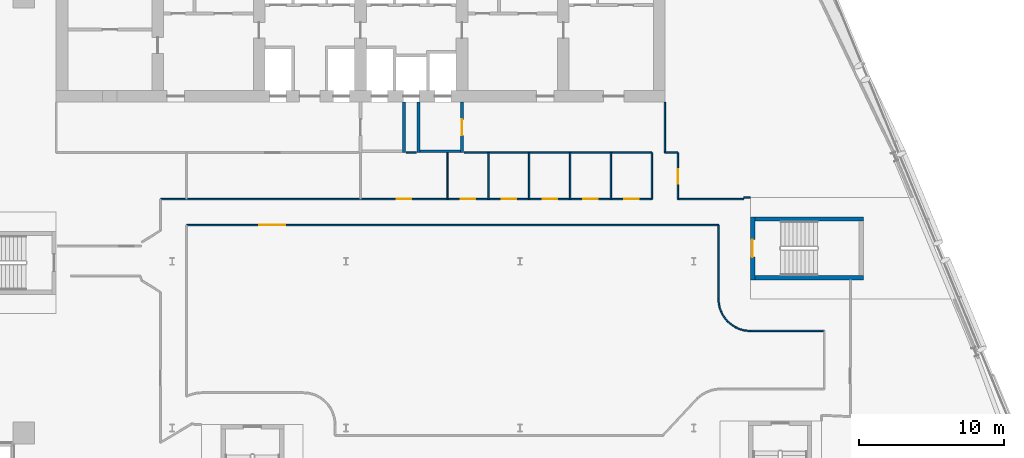
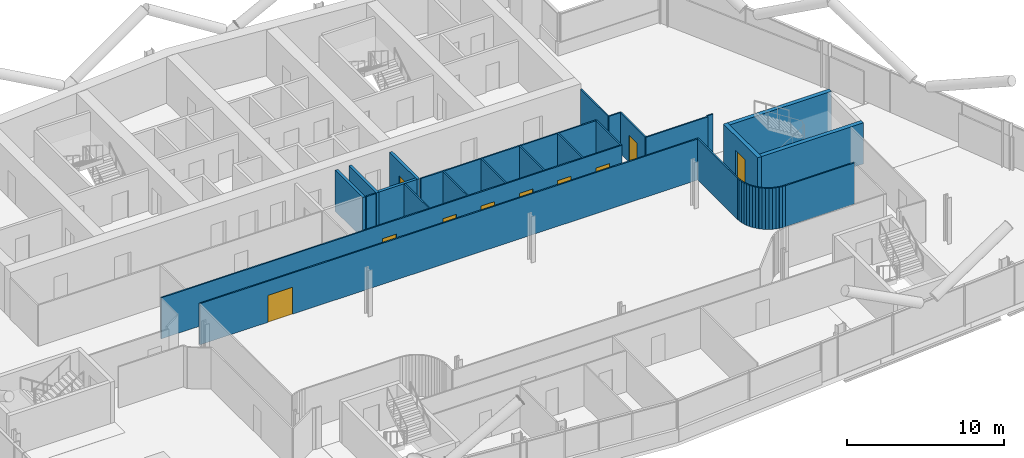
# One storey, part 17 of 27: 40 walls, 10 doors, 10 openings.
"""IFC4 building model written with IfcOpenShell, lengths in metres."""

from ifc_helpers import new_model, si_unit, direction, frame, frame_2d, origin, place, context, subcontext, project, spatial, rectangle, extrude, material, layer, layer_set, type_object, element, fill, save


model = new_model("IFC4")

# Units and contexts
model_context = context("Model", 3, precision=1e-05, world=origin(), true_north=direction((0.0, 1.0)))
body_context = subcontext(model_context, "Body", "Model", "MODEL_VIEW")
ifc_project = project(units=[si_unit("LENGTHUNIT", "METRE"), si_unit("AREAUNIT", "SQUARE_METRE"), si_unit("VOLUMEUNIT", "CUBIC_METRE"), si_unit("PLANEANGLEUNIT", "RADIAN"), si_unit("MASSUNIT", "GRAM", prefix="KILO")], contexts=[model_context])

# Site, building, storey
site_placement = place(None, origin())
site = spatial("IfcSite", under=ifc_project, at=site_placement, CompositionType="ELEMENT")
building_placement = place(site_placement, origin())
building = spatial("IfcBuilding", under=site, at=building_placement, Name="Wharfspan Tower", CompositionType="ELEMENT")
storey_placement = place(building_placement, frame((0.0, 0.0, 159.100098)))
storey = spatial("IfcBuildingStorey", under=building, at=storey_placement, Name="L38", CompositionType="ELEMENT", Elevation=159.100098)

# Wall, openings, doors
ifc_material_1 = material(Name="Gypsum board on steel studs", Category="steel")
ifc_layer_1 = layer(ifc_material_1, 0.100098)
ifc_layer_set_1 = layer_set([ifc_layer_1], Name="Gypsum board on steel studs")
wall_type_1 = type_object("IfcWallType", Name="Compartment wall 100 EI 60", PredefinedType="PARTITIONING", material=ifc_layer_set_1)
wall_1_placement = place(storey_placement, frame((23.199951, 27.300049, 0.0), z_axis=(0.0, 0.0, 1.0), x_axis=(1.0, 0.0, 0.0)))
wall_1 = element("IfcWall", 1, at=wall_1_placement, inside=storey, type_object=wall_type_1, Name="Partition L38.w014", PredefinedType="PARTITIONING", context=body_context, shape_type="SweptSolid", body=[
    extrude(rectangle(XDim=33.900146, YDim=0.100098, at=frame_2d((16.950195, 0.0))), origin(), (0.0, 0.0, 1.0), 3.199951),
])
opening_1_placement = place(wall_1_placement, frame((16.300049, 0.0, 0.0)))
opening_1 = element("IfcOpeningElement", 2, at=opening_1_placement, cuts=wall_1, Name="Opening C2-11", PredefinedType="OPENING", context=body_context, shape_type="SweptSolid", body=[
    extrude(rectangle(XDim=1.0, YDim=2.100098, at=frame_2d((0.5, 1.050049))), frame((0.0, 0.060059, 0.0), z_axis=(0.0, -1.0, 0.0), x_axis=(1.0, 0.0, 0.0)), (0.0, 0.0, 1.0), 0.120117),
])
opening_2_placement = place(wall_1_placement, frame((20.719971, 0.0, 0.0)))
opening_2 = element("IfcOpeningElement", 3, at=opening_2_placement, cuts=wall_1, Name="Opening C2-12", PredefinedType="OPENING", context=body_context, shape_type="SweptSolid", body=[
    extrude(rectangle(XDim=1.0, YDim=2.100098, at=frame_2d((0.5, 1.050049))), frame((0.0, 0.060059, 0.0), z_axis=(0.0, -1.0, 0.0), x_axis=(1.0, 0.0, 0.0)), (0.0, 0.0, 1.0), 0.120117),
])
opening_3_placement = place(wall_1_placement, frame((23.540039, 0.0, 0.0)))
opening_3 = element("IfcOpeningElement", 4, at=opening_3_placement, cuts=wall_1, Name="Opening C2-13", PredefinedType="OPENING", context=body_context, shape_type="SweptSolid", body=[
    extrude(rectangle(XDim=1.0, YDim=2.100098, at=frame_2d((0.5, 1.050049))), frame((0.0, 0.060059, 0.0), z_axis=(0.0, -1.0, 0.0), x_axis=(1.0, 0.0, 0.0)), (0.0, 0.0, 1.0), 0.120117),
])
opening_4_placement = place(wall_1_placement, frame((26.360107, 0.0, 0.0)))
opening_4 = element("IfcOpeningElement", 5, at=opening_4_placement, cuts=wall_1, Name="Opening C2-14", PredefinedType="OPENING", context=body_context, shape_type="SweptSolid", body=[
    extrude(rectangle(XDim=1.0, YDim=2.100098, at=frame_2d((0.5, 1.050049))), frame((0.0, 0.060059, 0.0), z_axis=(0.0, -1.0, 0.0), x_axis=(1.0, 0.0, 0.0)), (0.0, 0.0, 1.0), 0.120117),
])
opening_5_placement = place(wall_1_placement, frame((29.179932, 0.0, 0.0)))
opening_5 = element("IfcOpeningElement", 6, at=opening_5_placement, cuts=wall_1, Name="Opening C2-15", PredefinedType="OPENING", context=body_context, shape_type="SweptSolid", body=[
    extrude(rectangle(XDim=1.0, YDim=2.100098, at=frame_2d((0.5, 1.050049))), frame((0.0, 0.060059, 0.0), z_axis=(0.0, -1.0, 0.0), x_axis=(1.0, 0.0, 0.0)), (0.0, 0.0, 1.0), 0.120117),
])
opening_6_placement = place(wall_1_placement, frame((32.0, 0.0, 0.0)))
opening_6 = element("IfcOpeningElement", 7, at=opening_6_placement, cuts=wall_1, Name="Opening C2-16", PredefinedType="OPENING", context=body_context, shape_type="SweptSolid", body=[
    extrude(rectangle(XDim=1.0, YDim=2.100098, at=frame_2d((0.5, 1.050049))), frame((0.0, 0.060059, 0.0), z_axis=(0.0, -1.0, 0.0), x_axis=(1.0, 0.0, 0.0)), (0.0, 0.0, 1.0), 0.120117),
])
ifc_material_2 = material(Name="Fire-rated timber door leaf in steel frame", Category="steel")
door_type_1 = type_object("IfcDoorType", Name="Door 1000 FD30S Left", OperationType="SINGLE_SWING_LEFT", PredefinedType="DOOR", material=ifc_material_2)
door_1_placement = place(opening_1_placement, origin())
door_1 = element("IfcDoor", 8, at=door_1_placement, inside=storey, type_object=door_type_1, Name="Door C2-11", OperationType="SINGLE_SWING_LEFT", OverallHeight=2.100098, OverallWidth=1.0, PredefinedType="DOOR", context=body_context, shape_type="SweptSolid", body=[
    extrude(rectangle(XDim=1.0, YDim=2.100098, at=frame_2d((0.5, 1.050049))), frame((0.0, 0.024902, 0.0), z_axis=(0.0, -1.0, 0.0), x_axis=(1.0, 0.0, 0.0)), (0.0, 0.0, 1.0), 0.050049),
])
fill(opening_1, door_1)
door_type_2 = type_object("IfcDoorType", Name="Door 1000 FD30S Right", OperationType="SINGLE_SWING_RIGHT", PredefinedType="DOOR", material=ifc_material_2)
door_2_placement = place(opening_2_placement, origin())
door_2 = element("IfcDoor", 9, at=door_2_placement, inside=storey, type_object=door_type_2, Name="Door C2-12", OperationType="SINGLE_SWING_RIGHT", OverallHeight=2.100098, OverallWidth=1.0, PredefinedType="DOOR", context=body_context, shape_type="SweptSolid", body=[
    extrude(rectangle(XDim=1.0, YDim=2.100098, at=frame_2d((0.5, 1.050049))), frame((0.0, 0.024902, 0.0), z_axis=(0.0, -1.0, 0.0), x_axis=(1.0, 0.0, 0.0)), (0.0, 0.0, 1.0), 0.050049),
])
fill(opening_2, door_2)
door_3_placement = place(opening_3_placement, origin())
door_3 = element("IfcDoor", 10, at=door_3_placement, inside=storey, type_object=door_type_2, Name="Door C2-13", OperationType="SINGLE_SWING_RIGHT", OverallHeight=2.100098, OverallWidth=1.0, PredefinedType="DOOR", context=body_context, shape_type="SweptSolid", body=[
    extrude(rectangle(XDim=1.0, YDim=2.100098, at=frame_2d((0.5, 1.050049))), frame((0.0, 0.024902, 0.0), z_axis=(0.0, -1.0, 0.0), x_axis=(1.0, 0.0, 0.0)), (0.0, 0.0, 1.0), 0.050049),
])
fill(opening_3, door_3)
door_4_placement = place(opening_4_placement, origin())
door_4 = element("IfcDoor", 11, at=door_4_placement, inside=storey, type_object=door_type_2, Name="Door C2-14", OperationType="SINGLE_SWING_RIGHT", OverallHeight=2.100098, OverallWidth=1.0, PredefinedType="DOOR", context=body_context, shape_type="SweptSolid", body=[
    extrude(rectangle(XDim=1.0, YDim=2.100098, at=frame_2d((0.5, 1.050049))), frame((0.0, 0.024902, 0.0), z_axis=(0.0, -1.0, 0.0), x_axis=(1.0, 0.0, 0.0)), (0.0, 0.0, 1.0), 0.050049),
])
fill(opening_4, door_4)
door_5_placement = place(opening_5_placement, origin())
door_5 = element("IfcDoor", 12, at=door_5_placement, inside=storey, type_object=door_type_2, Name="Door C2-15", OperationType="SINGLE_SWING_RIGHT", OverallHeight=2.100098, OverallWidth=1.0, PredefinedType="DOOR", context=body_context, shape_type="SweptSolid", body=[
    extrude(rectangle(XDim=1.0, YDim=2.100098, at=frame_2d((0.5, 1.050049))), frame((0.0, 0.024902, 0.0), z_axis=(0.0, -1.0, 0.0), x_axis=(1.0, 0.0, 0.0)), (0.0, 0.0, 1.0), 0.050049),
])
fill(opening_5, door_5)
door_6_placement = place(opening_6_placement, origin())
door_6 = element("IfcDoor", 13, at=door_6_placement, inside=storey, type_object=door_type_2, Name="Door C2-16", OperationType="SINGLE_SWING_RIGHT", OverallHeight=2.100098, OverallWidth=1.0, PredefinedType="DOOR", context=body_context, shape_type="SweptSolid", body=[
    extrude(rectangle(XDim=1.0, YDim=2.100098, at=frame_2d((0.5, 1.050049))), frame((0.0, 0.024902, 0.0), z_axis=(0.0, -1.0, 0.0), x_axis=(1.0, 0.0, 0.0)), (0.0, 0.0, 1.0), 0.050049),
])
fill(opening_6, door_6)

# Wall, opening, door
wall_2_placement = place(storey_placement, frame((25.0, 25.5, 0.0), z_axis=(0.0, 0.0, 1.0), x_axis=(1.0, 0.0, 0.0)))
wall_2 = element("IfcWall", 14, at=wall_2_placement, inside=storey, type_object=wall_type_1, Name="Partition L38.w019", PredefinedType="PARTITIONING", context=body_context, shape_type="SweptSolid", body=[
    extrude(rectangle(XDim=36.705078, YDim=0.100098, at=frame_2d((18.352539, 0.0))), origin(), (0.0, 0.0, 1.0), 3.199951),
])
opening_7_placement = place(wall_2_placement, frame((5.02002, 0.0, 0.0)))
opening_7 = element("IfcOpeningElement", 15, at=opening_7_placement, cuts=wall_2, Name="Opening C2-10", PredefinedType="OPENING", context=body_context, shape_type="SweptSolid", body=[
    extrude(rectangle(XDim=1.800049, YDim=2.100098, at=frame_2d((0.899902, 1.050049))), frame((0.0, 0.060059, 0.0), z_axis=(0.0, -1.0, 0.0), x_axis=(1.0, 0.0, 0.0)), (0.0, 0.0, 1.0), 0.120117),
])
door_type_3 = type_object("IfcDoorType", Name="Door 1800 FD30S Double", OperationType="DOUBLE_DOOR_SINGLE_SWING", PredefinedType="DOOR", material=ifc_material_2)
door_7_placement = place(opening_7_placement, origin())
door_7 = element("IfcDoor", 16, at=door_7_placement, inside=storey, type_object=door_type_3, Name="Door C2-10", OperationType="DOUBLE_DOOR_SINGLE_SWING", OverallHeight=2.100098, OverallWidth=1.800049, PredefinedType="DOOR", context=body_context, shape_type="SweptSolid", body=[
    extrude(rectangle(XDim=1.800049, YDim=2.100098, at=frame_2d((0.899902, 1.050049))), frame((0.0, 0.024902, 0.0), z_axis=(0.0, -1.0, 0.0), x_axis=(1.0, 0.0, 0.0)), (0.0, 0.0, 1.0), 0.050049),
])
fill(opening_7, door_7)

# Walls
for number, where, z_axis, x_axis, name in (
    (17, (43.0, 27.300049, 0.0), (0.0, 0.0, 1.0), (0.0, 1.0, 0.0), "Partition L38.w053"),
    (18, (45.820068, 27.300049, 0.0), (0.0, 0.0, 1.0), (0.0, 1.0, 0.0), "Partition L38.w054"),
    (19, (48.639893, 27.300049, 0.0), (0.0, 0.0, 1.0), (0.0, 1.0, 0.0), "Partition L38.w056"),
    (20, (51.459961, 27.300049, 0.0), (0.0, 0.0, 1.0), (0.0, 1.0, 0.0), "Partition L38.w057"),
    (21, (54.280029, 27.300049, 0.0), (0.0, 0.0, 1.0), (0.0, 1.0, 0.0), "Partition L38.w061"),
    (22, (57.100098, 27.300049, 0.0), (0.0, 0.0, 1.0), (0.0, 1.0, 0.0), "Partition L38.w062"),
):
    element("IfcWall", number, at=place(storey_placement, frame(where, z_axis=z_axis, x_axis=x_axis)), inside=storey, type_object=wall_type_1, Name=name, PredefinedType="PARTITIONING", context=body_context, shape_type="SweptSolid", body=[
        extrude(rectangle(XDim=3.199951, YDim=0.100098, at=frame_2d((1.600098, 0.0))), origin(), (0.0, 0.0, 1.0), 3.199951),
    ])
wall_3_placement = place(storey_placement, frame((58.0, 30.5, 0.0), z_axis=(0.0, 0.0, 1.0), x_axis=(0.0, 1.0, 0.0)))
element("IfcWall", 23, at=wall_3_placement, inside=storey, type_object=wall_type_1, Name="Partition L38.w064", PredefinedType="PARTITIONING", context=body_context, shape_type="SweptSolid", body=[
    extrude(rectangle(XDim=3.47998, YDim=0.100098, at=frame_2d((1.73999, 0.0))), origin(), (0.0, 0.0, 1.0), 3.199951),
])
wall_4_placement = place(storey_placement, frame((58.0, 30.5, 0.0), z_axis=(0.0, 0.0, 1.0), x_axis=(1.0, 0.0, 0.0)))
element("IfcWall", 24, at=wall_4_placement, inside=storey, type_object=wall_type_1, Name="Partition L38.w065", PredefinedType="PARTITIONING", context=body_context, shape_type="SweptSolid", body=[
    extrude(rectangle(XDim=0.899902, YDim=0.100098, at=frame_2d((0.449951, 0.0))), origin(), (0.0, 0.0, 1.0), 3.199951),
])

# Wall, opening, door
wall_5_placement = place(storey_placement, frame((58.899902, 27.300049, 0.0), z_axis=(0.0, 0.0, 1.0), x_axis=(0.0, 1.0, 0.0)))
wall_5 = element("IfcWall", 25, at=wall_5_placement, inside=storey, type_object=wall_type_1, Name="Partition L38.w067", PredefinedType="PARTITIONING", context=body_context, shape_type="SweptSolid", body=[
    extrude(rectangle(XDim=3.199951, YDim=0.100098, at=frame_2d((1.600098, 0.0))), origin(), (0.0, 0.0, 1.0), 3.199951),
])
opening_8_placement = place(wall_5_placement, frame((1.044922, 0.0, 0.0)))
opening_8 = element("IfcOpeningElement", 26, at=opening_8_placement, cuts=wall_5, Name="Opening C2-17", PredefinedType="OPENING", context=body_context, shape_type="SweptSolid", body=[
    extrude(rectangle(XDim=1.0, YDim=2.100098, at=frame_2d((0.5, 1.050049))), frame((0.0, 0.060059, 0.0), z_axis=(0.0, -1.0, 0.0), x_axis=(1.0, 0.0, 0.0)), (0.0, 0.0, 1.0), 0.120117),
])
door_8_placement = place(opening_8_placement, origin())
door_8 = element("IfcDoor", 27, at=door_8_placement, inside=storey, type_object=door_type_1, Name="Door C2-17", OperationType="SINGLE_SWING_LEFT", OverallHeight=2.100098, OverallWidth=1.0, PredefinedType="DOOR", context=body_context, shape_type="SweptSolid", body=[
    extrude(rectangle(XDim=1.0, YDim=2.100098, at=frame_2d((0.5, 1.050049))), frame((0.0, 0.024902, 0.0), z_axis=(0.0, -1.0, 0.0), x_axis=(1.0, 0.0, 0.0)), (0.0, 0.0, 1.0), 0.050049),
])
fill(opening_8, door_8)

# Walls
wall_6_placement = place(storey_placement, frame((58.899902, 27.300049, 0.0), z_axis=(0.0, 0.0, 1.0), x_axis=(1.0, 0.0, 0.0)))
element("IfcWall", 28, at=wall_6_placement, inside=storey, type_object=wall_type_1, Name="Partition L38.w068", PredefinedType="PARTITIONING", context=body_context, shape_type="SweptSolid", body=[
    extrude(rectangle(XDim=4.555176, YDim=0.100098, at=frame_2d((2.277588, 0.0))), origin(), (0.0, 0.0, 1.0), 3.199951),
])
wall_7_placement = place(storey_placement, frame((61.705078, 20.399902, 0.0), z_axis=(0.0, 0.0, 1.0), x_axis=(0.0, 1.0, 0.0)))
element("IfcWall", 29, at=wall_7_placement, inside=storey, type_object=wall_type_1, Name="Partition L38.w077", PredefinedType="PARTITIONING", context=body_context, shape_type="SweptSolid", body=[
    extrude(rectangle(XDim=5.100098, YDim=0.100098, at=frame_2d((2.550049, 0.0))), origin(), (0.0, 0.0, 1.0), 3.199951),
])
wall_8_placement = place(storey_placement, frame((61.715088, 20.185059, 0.0), z_axis=(0.0, 0.0, 1.0), x_axis=(-0.04654, 0.998912, 0.0)))
element("IfcWall", 30, at=wall_8_placement, inside=storey, type_object=wall_type_1, Name="Partition L38.w078", PredefinedType="PARTITIONING", context=body_context, shape_type="SweptSolid", body=[
    extrude(rectangle(XDim=0.215088, YDim=0.100098, at=frame_2d((0.107422, 0.0))), origin(), (0.0, 0.0, 1.0), 3.199951),
])
wall_9_placement = place(storey_placement, frame((61.745117, 19.969971, 0.0), z_axis=(0.0, 0.0, 1.0), x_axis=(-0.138273, 0.990394, 0.0)))
element("IfcWall", 31, at=wall_9_placement, inside=storey, type_object=wall_type_1, Name="Partition L38.w079", PredefinedType="PARTITIONING", context=body_context, shape_type="SweptSolid", body=[
    extrude(rectangle(XDim=0.217285, YDim=0.100098, at=frame_2d((0.108643, 0.0))), origin(), (0.0, 0.0, 1.0), 3.199951),
])
wall_10_placement = place(storey_placement, frame((61.800049, 19.76001, 0.0), z_axis=(0.0, 0.0, 1.0), x_axis=(-0.253108, 0.967435, 0.0)))
element("IfcWall", 32, at=wall_10_placement, inside=storey, type_object=wall_type_1, Name="Partition L38.w080", PredefinedType="PARTITIONING", context=body_context, shape_type="SweptSolid", body=[
    extrude(rectangle(XDim=0.217041, YDim=0.100098, at=frame_2d((0.108398, 0.0))), origin(), (0.0, 0.0, 1.0), 3.199951),
])
wall_11_placement = place(storey_placement, frame((61.870117, 19.560059, 0.0), z_axis=(0.0, 0.0, 1.0), x_axis=(-0.330711, 0.943736, 0.0)))
element("IfcWall", 33, at=wall_11_placement, inside=storey, type_object=wall_type_1, Name="Partition L38.w082", PredefinedType="PARTITIONING", context=body_context, shape_type="SweptSolid", body=[
    extrude(rectangle(XDim=0.211914, YDim=0.100098, at=frame_2d((0.105957, 0.0))), origin(), (0.0, 0.0, 1.0), 3.199951),
])
wall_12_placement = place(storey_placement, frame((61.965088, 19.360107, 0.0), z_axis=(0.0, 0.0, 1.0), x_axis=(-0.429036, 0.903292, 0.0)))
element("IfcWall", 34, at=wall_12_placement, inside=storey, type_object=wall_type_1, Name="Partition L38.w083", PredefinedType="PARTITIONING", context=body_context, shape_type="SweptSolid", body=[
    extrude(rectangle(XDim=0.221436, YDim=0.100098, at=frame_2d((0.11084, 0.0))), origin(), (0.0, 0.0, 1.0), 3.199951),
])
wall_13_placement = place(storey_placement, frame((62.074951, 19.175049, 0.0), z_axis=(0.0, 0.0, 1.0), x_axis=(-0.510487, 0.859887, 0.0)))
element("IfcWall", 35, at=wall_13_placement, inside=storey, type_object=wall_type_1, Name="Partition L38.w084", PredefinedType="PARTITIONING", context=body_context, shape_type="SweptSolid", body=[
    extrude(rectangle(XDim=0.215332, YDim=0.100098, at=frame_2d((0.107666, 0.0))), origin(), (0.0, 0.0, 1.0), 3.199951),
])
wall_14_placement = place(storey_placement, frame((62.205078, 19.004883, 0.0), z_axis=(0.0, 0.0, 1.0), x_axis=(-0.607451, 0.794359, 0.0)))
element("IfcWall", 36, at=wall_14_placement, inside=storey, type_object=wall_type_1, Name="Partition L38.w085", PredefinedType="PARTITIONING", context=body_context, shape_type="SweptSolid", body=[
    extrude(rectangle(XDim=0.214111, YDim=0.100098, at=frame_2d((0.106934, 0.0))), origin(), (0.0, 0.0, 1.0), 3.199951),
])
for number, where, z_axis, x_axis, name in (
    (37, (62.350098, 18.844971, 0.0), (0.0, 0.0, 1.0), (-0.671775, 0.740762, 0.0), "Partition L38.w086"),
    (38, (62.51001, 18.699951, 0.0), (0.0, 0.0, 1.0), (-0.740762, 0.671775, 0.0), "Partition L38.w087"),
):
    element("IfcWall", number, at=place(storey_placement, frame(where, z_axis=z_axis, x_axis=x_axis)), inside=storey, type_object=wall_type_1, Name=name, PredefinedType="PARTITIONING", context=body_context, shape_type="SweptSolid", body=[
        extrude(rectangle(XDim=0.21582, YDim=0.100098, at=frame_2d((0.10791, 0.0))), origin(), (0.0, 0.0, 1.0), 3.199951),
    ])
wall_15_placement = place(storey_placement, frame((62.679932, 18.570068, 0.0), z_axis=(0.0, 0.0, 1.0), x_axis=(-0.794484, 0.607278, 0.0)))
element("IfcWall", 39, at=wall_15_placement, inside=storey, type_object=wall_type_1, Name="Partition L38.w088", PredefinedType="PARTITIONING", context=body_context, shape_type="SweptSolid", body=[
    extrude(rectangle(XDim=0.213867, YDim=0.100098, at=frame_2d((0.106934, 0.0))), origin(), (0.0, 0.0, 1.0), 3.199951),
])
wall_16_placement = place(storey_placement, frame((62.86499, 18.459961, 0.0), z_axis=(0.0, 0.0, 1.0), x_axis=(-0.859387, 0.511324, 0.0)))
element("IfcWall", 40, at=wall_16_placement, inside=storey, type_object=wall_type_1, Name="Partition L38.w089", PredefinedType="PARTITIONING", context=body_context, shape_type="SweptSolid", body=[
    extrude(rectangle(XDim=0.215332, YDim=0.100098, at=frame_2d((0.107666, 0.0))), origin(), (0.0, 0.0, 1.0), 3.199951),
])
wall_17_placement = place(storey_placement, frame((63.060059, 18.36499, 0.0), z_axis=(0.0, 0.0, 1.0), x_axis=(-0.899103, 0.437736, 0.0)))
element("IfcWall", 41, at=wall_17_placement, inside=storey, type_object=wall_type_1, Name="Partition L38.w090", PredefinedType="PARTITIONING", context=body_context, shape_type="SweptSolid", body=[
    extrude(rectangle(XDim=0.217041, YDim=0.100098, at=frame_2d((0.108398, 0.0))), origin(), (0.0, 0.0, 1.0), 3.199951),
])
wall_18_placement = place(storey_placement, frame((63.264893, 18.294922, 0.0), z_axis=(0.0, 0.0, 1.0), x_axis=(-0.94617, 0.32366, 0.0)))
element("IfcWall", 42, at=wall_18_placement, inside=storey, type_object=wall_type_1, Name="Partition L38.w091", PredefinedType="PARTITIONING", context=body_context, shape_type="SweptSolid", body=[
    extrude(rectangle(XDim=0.216553, YDim=0.100098, at=frame_2d((0.108398, 0.0))), origin(), (0.0, 0.0, 1.0), 3.199951),
])
wall_19_placement = place(storey_placement, frame((63.455078, 27.399902, 0.0), z_axis=(0.0, 0.0, 1.0), x_axis=(1.0, 0.0, 0.0)))
element("IfcWall", 43, at=wall_19_placement, inside=storey, type_object=wall_type_1, Name="Partition L38.w092", PredefinedType="PARTITIONING", context=body_context, shape_type="SweptSolid", body=[
    extrude(rectangle(XDim=0.429443, YDim=0.100098, at=frame_2d((0.214844, 0.0))), origin(), (0.0, 0.0, 1.0), 3.199951),
])
wall_20_placement = place(storey_placement, frame((63.475098, 18.23999, 0.0), z_axis=(0.0, 0.0, 1.0), x_axis=(-0.967508, 0.252833, 0.0)))
element("IfcWall", 44, at=wall_20_placement, inside=storey, type_object=wall_type_1, Name="Partition L38.w093", PredefinedType="PARTITIONING", context=body_context, shape_type="SweptSolid", body=[
    extrude(rectangle(XDim=0.217285, YDim=0.100098, at=frame_2d((0.108643, 0.0))), origin(), (0.0, 0.0, 1.0), 3.199951),
])
wall_21_placement = place(storey_placement, frame((63.689941, 18.209961, 0.0), z_axis=(0.0, 0.0, 1.0), x_axis=(-0.990372, 0.138427, 0.0)))
element("IfcWall", 45, at=wall_21_placement, inside=storey, type_object=wall_type_1, Name="Partition L38.w094", PredefinedType="PARTITIONING", context=body_context, shape_type="SweptSolid", body=[
    extrude(rectangle(XDim=0.217041, YDim=0.100098, at=frame_2d((0.108398, 0.0))), origin(), (0.0, 0.0, 1.0), 3.199951),
])
wall_22_placement = place(storey_placement, frame((63.905029, 18.199951, 0.0), z_axis=(0.0, 0.0, 1.0), x_axis=(1.0, 0.0, 0.0)))
element("IfcWall", 46, at=wall_22_placement, inside=storey, type_object=wall_type_1, Name="Partition L38.w095", PredefinedType="PARTITIONING", context=body_context, shape_type="SweptSolid", body=[
    extrude(rectangle(XDim=5.094971, YDim=0.100098, at=frame_2d((2.547363, 0.0))), origin(), (0.0, 0.0, 1.0), 3.199951),
])
wall_23_placement = place(storey_placement, frame((63.905029, 18.199951, 0.0), z_axis=(0.0, 0.0, 1.0), x_axis=(-0.998923, 0.046488, 0.0)))
element("IfcWall", 47, at=wall_23_placement, inside=storey, type_object=wall_type_1, Name="Partition L38.w096", PredefinedType="PARTITIONING", context=body_context, shape_type="SweptSolid", body=[
    extrude(rectangle(XDim=0.215332, YDim=0.100098, at=frame_2d((0.107666, 0.0))), origin(), (0.0, 0.0, 1.0), 3.199951),
])
wall_24_placement = place(storey_placement, frame((40.149902, 30.5, 0.0), z_axis=(0.0, 0.0, 1.0), x_axis=(1.0, 0.0, 0.0)))
element("IfcWall", 48, at=wall_24_placement, inside=storey, type_object=wall_type_1, Name="Partition L38.w005 (2)", PredefinedType="PARTITIONING", context=body_context, shape_type="SweptSolid", body=[
    extrude(rectangle(XDim=0.700195, YDim=0.100098, at=frame_2d((0.350098, 0.0))), origin(), (0.0, 0.0, 1.0), 3.199951),
])
wall_25_placement = place(storey_placement, frame((44.149902, 30.5, 0.0), z_axis=(0.0, 0.0, 1.0), x_axis=(1.0, 0.0, 0.0)))
element("IfcWall", 49, at=wall_25_placement, inside=storey, type_object=wall_type_1, Name="Partition L38.w005 (3)", PredefinedType="PARTITIONING", context=body_context, shape_type="SweptSolid", body=[
    extrude(rectangle(XDim=12.950195, YDim=0.100098, at=frame_2d((6.475098, 0.0))), origin(), (0.0, 0.0, 1.0), 3.199951),
])
ifc_material_3 = material(Name="Concrete C30/37", Category="concrete")
ifc_layer_2 = layer(ifc_material_3, 0.199951)
ifc_layer_set_2 = layer_set([ifc_layer_2], Name="Concrete C30/37")
wall_type_2 = type_object("IfcWallType", Name="Lobby wall 200", PredefinedType="PARTITIONING", material=ifc_layer_set_2)
for number, where, z_axis, x_axis, name in (
    (50, (40.0, 30.5, 0.0), (0.0, 0.0, 1.0), (0.0, 1.0, 0.0), "sw:L38:FLFF1E"),
    (51, (41.0, 30.5, 0.0), (0.0, 0.0, 1.0), (0.0, 1.0, 0.0), "sw:L38:FLFF2W"),
):
    element("IfcWall", number, at=place(storey_placement, frame(where, z_axis=z_axis, x_axis=x_axis)), inside=storey, type_object=wall_type_2, Name=name, PredefinedType="PARTITIONING", context=body_context, shape_type="SweptSolid", body=[
        extrude(rectangle(XDim=3.5, YDim=0.199951, at=frame_2d((1.75, 0.0))), origin(), (0.0, 0.0, 1.0), 3.199951),
    ])

# Wall, opening, door
wall_26_placement = place(storey_placement, frame((44.0, 30.5, 0.0), z_axis=(0.0, 0.0, 1.0), x_axis=(0.0, 1.0, 0.0)))
wall_26 = element("IfcWall", 52, at=wall_26_placement, inside=storey, type_object=wall_type_2, Name="sw:L38:FLFF2E", PredefinedType="PARTITIONING", context=body_context, shape_type="SweptSolid", body=[
    extrude(rectangle(XDim=3.5, YDim=0.199951, at=frame_2d((1.75, 0.0))), origin(), (0.0, 0.0, 1.0), 3.199951),
])
opening_9_placement = place(wall_26_placement, frame((1.199951, 0.0, 0.0)))
opening_9 = element("IfcOpeningElement", 53, at=opening_9_placement, cuts=wall_26, Name="Opening FL.FF2.L38", PredefinedType="OPENING", context=body_context, shape_type="SweptSolid", body=[
    extrude(rectangle(XDim=1.100098, YDim=2.100098, at=frame_2d((0.550049, 1.050049))), frame((0.0, 0.109863, 0.0), z_axis=(0.0, -1.0, 0.0), x_axis=(1.0, 0.0, 0.0)), (0.0, 0.0, 1.0), 0.219971),
])
ifc_material_4 = material(Name="Steel door leaf", Category="steel")
door_type_4 = type_object("IfcDoorType", Name="Firefighting lobby door 1100x2100", OperationType="SINGLE_SWING_LEFT", PredefinedType="DOOR", material=ifc_material_4)
door_9_placement = place(opening_9_placement, origin())
door_9 = element("IfcDoor", 54, at=door_9_placement, inside=storey, type_object=door_type_4, Name="fd:L38:FF2", OperationType="SINGLE_SWING_LEFT", OverallHeight=2.100098, OverallWidth=1.100098, PredefinedType="DOOR", context=body_context, shape_type="SweptSolid", body=[
    extrude(rectangle(XDim=1.100098, YDim=2.100098, at=frame_2d((0.550049, 1.050049))), frame((0.0, 0.024902, 0.0), z_axis=(0.0, -1.0, 0.0), x_axis=(1.0, 0.0, 0.0)), (0.0, 0.0, 1.0), 0.050049),
])
fill(opening_9, door_9)

# Wall
wall_27_placement = place(storey_placement, frame((41.100098, 30.600098, 0.0), z_axis=(0.0, 0.0, 1.0), x_axis=(1.0, 0.0, 0.0)))
element("IfcWall", 55, at=wall_27_placement, inside=storey, type_object=wall_type_2, Name="sw:L38:FLFF2F", PredefinedType="PARTITIONING", context=body_context, shape_type="SweptSolid", body=[
    extrude(rectangle(XDim=2.799805, YDim=0.199951, at=frame_2d((1.399902, 0.0))), origin(), (0.0, 0.0, 1.0), 3.199951),
])

# Wall, opening, door
ifc_material_5 = material(Name="Concrete C40/50", Category="concrete")
ifc_layer_3 = layer(ifc_material_5, 0.300049)
ifc_layer_set_3 = layer_set([ifc_layer_3], Name="Concrete C40/50")
wall_type_3 = type_object("IfcWallType", Name="Stair core wall 300", PredefinedType="SHEAR", material=ifc_layer_set_3)
wall_28_placement = place(storey_placement, frame((64.054688, 21.725098, 0.0), z_axis=(0.0, 0.0, 1.0), x_axis=(0.0, 1.0, 0.0)))
wall_28 = element("IfcWall", 56, at=wall_28_placement, inside=storey, type_object=wall_type_3, Name="ST6 stair enclosure wall L38", PredefinedType="SHEAR", context=body_context, shape_type="SweptSolid", body=[
    extrude(rectangle(XDim=4.349854, YDim=0.300049, at=frame_2d((2.174805, 0.0))), origin(), (0.0, 0.0, 1.0), 3.199951),
])
opening_10_placement = place(wall_28_placement, frame((1.574951, 0.0, 0.0)))
opening_10 = element("IfcOpeningElement", 57, at=opening_10_placement, cuts=wall_28, Name="Opening SD6.L38", PredefinedType="OPENING", context=body_context, shape_type="SweptSolid", body=[
    extrude(rectangle(XDim=1.199951, YDim=2.100098, at=frame_2d((0.600098, 1.050049))), frame((0.0, 0.159912, 0.0), z_axis=(0.0, -1.0, 0.0), x_axis=(1.0, 0.0, 0.0)), (0.0, 0.0, 1.0), 0.320068),
])
door_type_5 = type_object("IfcDoorType", Name="Stair door 1200x2100", OperationType="SINGLE_SWING_LEFT", PredefinedType="DOOR", material=ifc_material_4)
door_10_placement = place(opening_10_placement, origin())
door_10 = element("IfcDoor", 58, at=door_10_placement, inside=storey, type_object=door_type_5, Name="sd:L38:ST6z3", OperationType="SINGLE_SWING_RIGHT", OverallHeight=2.100098, OverallWidth=1.199951, PredefinedType="DOOR", context=body_context, shape_type="SweptSolid", body=[
    extrude(rectangle(XDim=1.199951, YDim=2.100098, at=frame_2d((0.600098, 1.050049))), frame((0.0, 0.024902, 0.0), z_axis=(0.0, -1.0, 0.0), x_axis=(1.0, 0.0, 0.0)), (0.0, 0.0, 1.0), 0.050049),
])
fill(opening_10, door_10)

# Walls
for number, where, z_axis, x_axis, name in (
    (59, (64.20459, 21.875, 0.0), (0.0, 0.0, 1.0), (1.0, 0.0, 0.0), "ST6 stair enclosure wall L38"),
    (60, (64.20459, 25.925049, 0.0), (0.0, 0.0, 1.0), (1.0, 0.0, 0.0), "ST6 stair enclosure wall L38"),
):
    element("IfcWall", number, at=place(storey_placement, frame(where, z_axis=z_axis, x_axis=x_axis)), inside=storey, type_object=wall_type_3, Name=name, PredefinedType="SHEAR", context=body_context, shape_type="SweptSolid", body=[
        extrude(rectangle(XDim=7.5, YDim=0.300049, at=frame_2d((3.75, 0.0))), origin(), (0.0, 0.0, 1.0), 3.199951),
    ])

save(model, "model.ifc")
